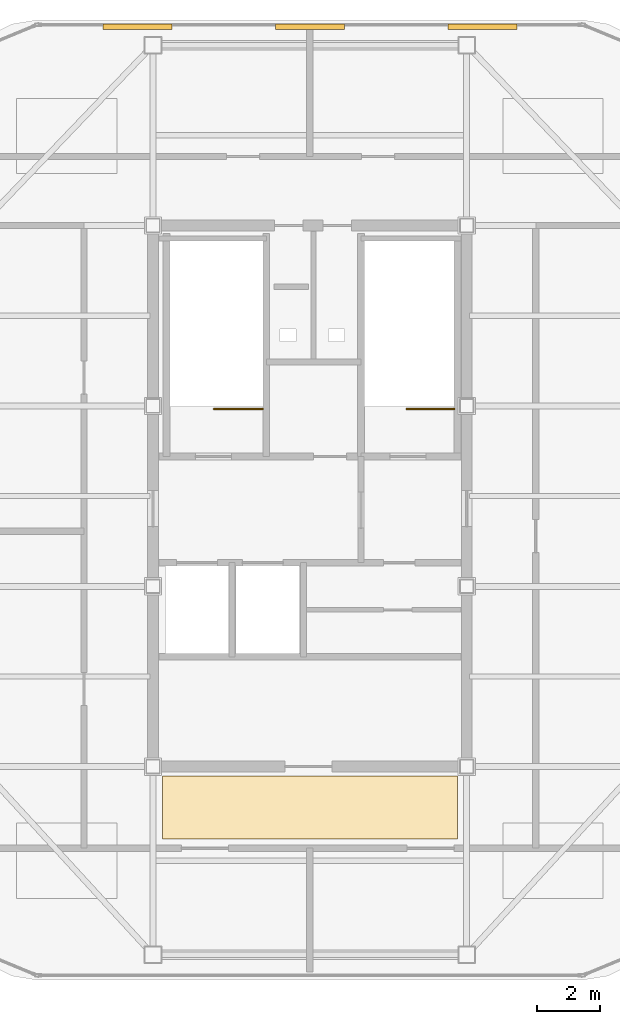
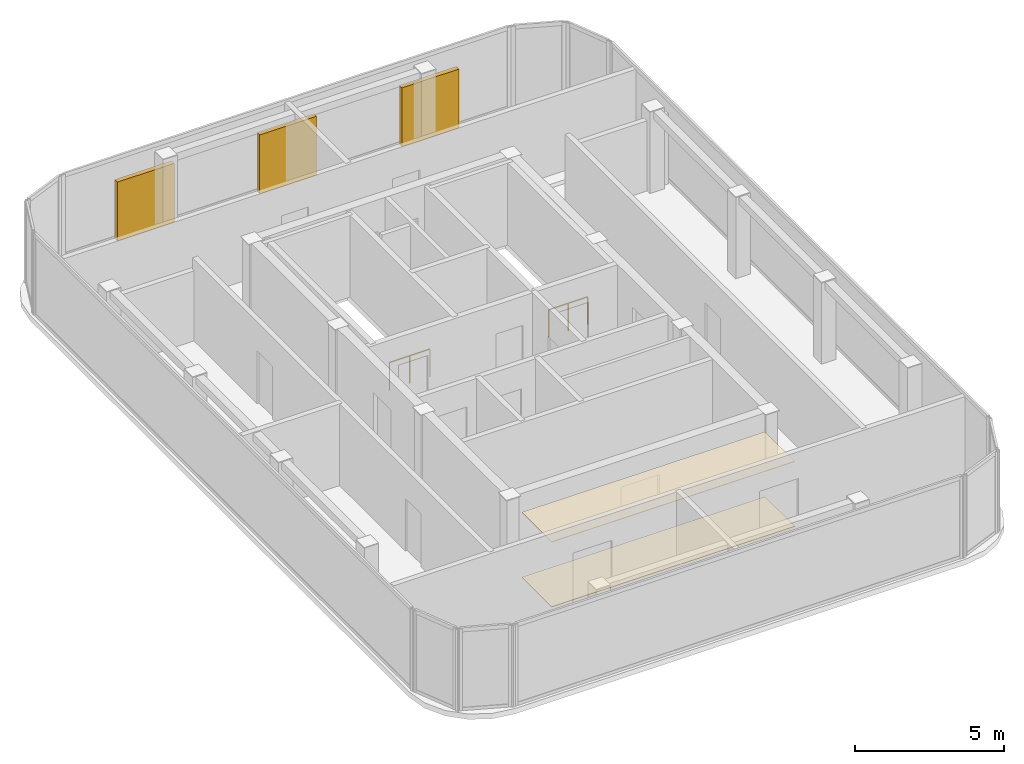
# One storey, part 11 of 11: 3 shading devices, 2 coverings, 2 railings.
"""IFC4 building model written with IfcOpenShell, lengths in metres."""

from ifc_helpers import new_model, si_unit, direction, frame, origin, origin_2d, place, context, subcontext, project, spatial, polyline, rectangle, circle, outline, extrude, source, transform, mapped, material, layer, layer_set, type_object, element, save


model = new_model("IFC4")

# Units and contexts
model_context = context("Model", 3, precision=1e-05, world=origin(), true_north=direction((0.0, 1.0)))
body_context = subcontext(model_context, "Body", "Model", "MODEL_VIEW")
ifc_project = project(units=[si_unit("LENGTHUNIT", "METRE"), si_unit("AREAUNIT", "SQUARE_METRE"), si_unit("VOLUMEUNIT", "CUBIC_METRE"), si_unit("PLANEANGLEUNIT", "RADIAN"), si_unit("MASSUNIT", "GRAM", prefix="KILO")], contexts=[model_context])

# Site, building, storey
site_placement = place(None, origin())
site = spatial("IfcSite", under=ifc_project, at=site_placement, CompositionType="ELEMENT")
building_placement = place(site_placement, origin())
building = spatial("IfcBuilding", under=site, at=building_placement, Name="Kolveth Station Tower", CompositionType="ELEMENT")
storey_placement = place(building_placement, frame((0.0, 0.0, 292.89990234375)))
storey = spatial("IfcBuildingStorey", under=building, at=storey_placement, Name="L84", CompositionType="ELEMENT", Elevation=292.89990234375)

# Coverings
ifc_material_1 = material(Name="Acoustic mineral-fibre ceiling tile")
ifc_layer_1 = layer(ifc_material_1, 0.02490234375)
ifc_layer_set_1 = layer_set([ifc_layer_1], Name="Acoustic mineral-fibre ceiling tile")
covering_type_1 = type_object("IfcCoveringType", Name="Ceil_CL1", PredefinedType="CEILING", material=ifc_layer_set_1)
covering_1_placement = place(storey_placement, frame((0.0, 0.0, 2.650146484375)))
element("IfcCovering", 1, at=covering_1_placement, inside=storey, type_object=covering_type_1, Name="L84 Lift Lobby Suspended Ceiling", PredefinedType="CEILING", context=body_context, shape_type="SweptSolid", body=[
    extrude(outline(polyline([(18.800048828125, 9.199951171875), (28.199951171875, 9.199951171875), (28.199951171875, 11.199951171875), (18.800048828125, 11.199951171875), (18.800048828125, 9.199951171875)])), origin(), (0.0, 0.0, 1.0), 0.02490234375),
])
ifc_material_2 = material(Name="Honed terrazzo flooring")
ifc_layer_2 = layer(ifc_material_2, 0.02001953125)
ifc_layer_set_2 = layer_set([ifc_layer_2], Name="Honed terrazzo flooring")
covering_type_2 = type_object("IfcCoveringType", Name="Floor_FL1", PredefinedType="FLOORING", material=ifc_layer_set_2)
covering_2_placement = place(storey_placement, origin())
element("IfcCovering", 2, at=covering_2_placement, inside=storey, type_object=covering_type_2, Name="L84 Lift Lobby Floor Finish", PredefinedType="FLOORING", context=body_context, shape_type="SweptSolid", body=[
    extrude(outline(polyline([(18.800048828125, 9.199951171875), (28.199951171875, 9.199951171875), (28.199951171875, 11.199951171875), (18.800048828125, 11.199951171875), (18.800048828125, 9.199951171875)])), origin(), (0.0, 0.0, 1.0), 0.02001953125),
])

# Railings
ifc_material_3 = material(Name="Painted Steel S355 balustrade", Category="steel")
railing_type = type_object("IfcRailingType", Name="Guard_GR2", PredefinedType="BALUSTRADE", material=ifc_material_3)
railing_1_placement = place(storey_placement, frame((22.0, 22.89990234375, 0.0)))
element("IfcRailing", 3, at=railing_1_placement, inside=storey, type_object=railing_type, Name="L84 ST1 top well guard 1", PredefinedType="BALUSTRADE", context=body_context, shape_type="SweptSolid", body=[
    extrude(circle(Radius=0.02392578125, at=origin_2d()), frame((0.0, 0.0, 1.1259765625), z_axis=(-1.0, 0.0, 0.0), x_axis=(0.0, -1.0, 0.0)), (0.0, 0.0, 1.0), 1.56005859375),
    extrude(circle(Radius=0.02099609375, at=origin_2d()), origin(), (0.0, 0.0, 1.0), 1.101806640625),
    extrude(circle(Radius=0.02099609375, at=origin_2d()), frame((-0.780029296875, 0.0, 0.0)), (0.0, 0.0, 1.0), 1.101806640625),
    extrude(circle(Radius=0.02099609375, at=origin_2d()), frame((-1.56005859375, 0.0, 0.0)), (0.0, 0.0, 1.0), 1.101806640625),
])
railing_2_placement = place(storey_placement, frame((28.10009765625, 22.89990234375, 0.0)))
element("IfcRailing", 4, at=railing_2_placement, inside=storey, type_object=railing_type, Name="L84 ST2 top well guard 1", PredefinedType="BALUSTRADE", context=body_context, shape_type="SweptSolid", body=[
    extrude(circle(Radius=0.02392578125, at=origin_2d()), frame((0.0, 0.0, 1.1259765625), z_axis=(-1.0, 0.0, 0.0), x_axis=(0.0, -1.0, 0.0)), (0.0, 0.0, 1.0), 1.510009765625),
    extrude(circle(Radius=0.02099609375, at=origin_2d()), origin(), (0.0, 0.0, 1.0), 1.101806640625),
    extrude(circle(Radius=0.02099609375, at=origin_2d()), frame((-0.7548828125, 0.0, 0.0)), (0.0, 0.0, 1.0), 1.101806640625),
    extrude(circle(Radius=0.02099609375, at=origin_2d()), frame((-1.510009765625, 0.0, 0.0)), (0.0, 0.0, 1.0), 1.101806640625),
])

# Shading devices
ifc_material_4 = material(Name="Black anodized aluminium 6063-T6", Category="aluminium")
shading_device_type = type_object("IfcShadingDeviceType", Name="Louvre_LV1", PredefinedType="JALOUSIE", material=ifc_material_4)
shared_shape = source(origin(), body_context, "Body", "SweptSolid", [
    extrude(rectangle(XDim=2.199951171875, YDim=0.179931640625, at=origin_2d()), origin(), (0.0, 0.0, 1.0), 2.39990234375),
])
for number, where, z_axis, x_axis, name in (
    (5, (18.0, 35.080078125, 0.000244140625), (0.0, 0.0, 1.0), (1.0, 0.0, 0.0), "L84 Crown Plant Louvre 1"),
    (6, (23.5, 35.080078125, 0.000244140625), (0.0, 0.0, 1.0), (1.0, 0.0, 0.0), "L84 Crown Plant Louvre 2"),
    (7, (29.0, 35.080078125, 0.000244140625), (0.0, 0.0, 1.0), (1.0, 0.0, 0.0), "L84 Crown Plant Louvre 3"),
):
    element("IfcShadingDevice", number, at=place(storey_placement, frame(where, z_axis=z_axis, x_axis=x_axis)), inside=storey, type_object=shading_device_type, Name=name, PredefinedType="JALOUSIE", context=body_context, shape_type="MappedRepresentation", body=[
        mapped(shared_shape, transform((0.0, 0.0, 0.0), x_axis=(1.0, 0.0, 0.0), y_axis=(0.0, 1.0, 0.0), z_axis=(0.0, 0.0, 1.0), scale=1.0)),
    ])

save(model, "model.ifc")
